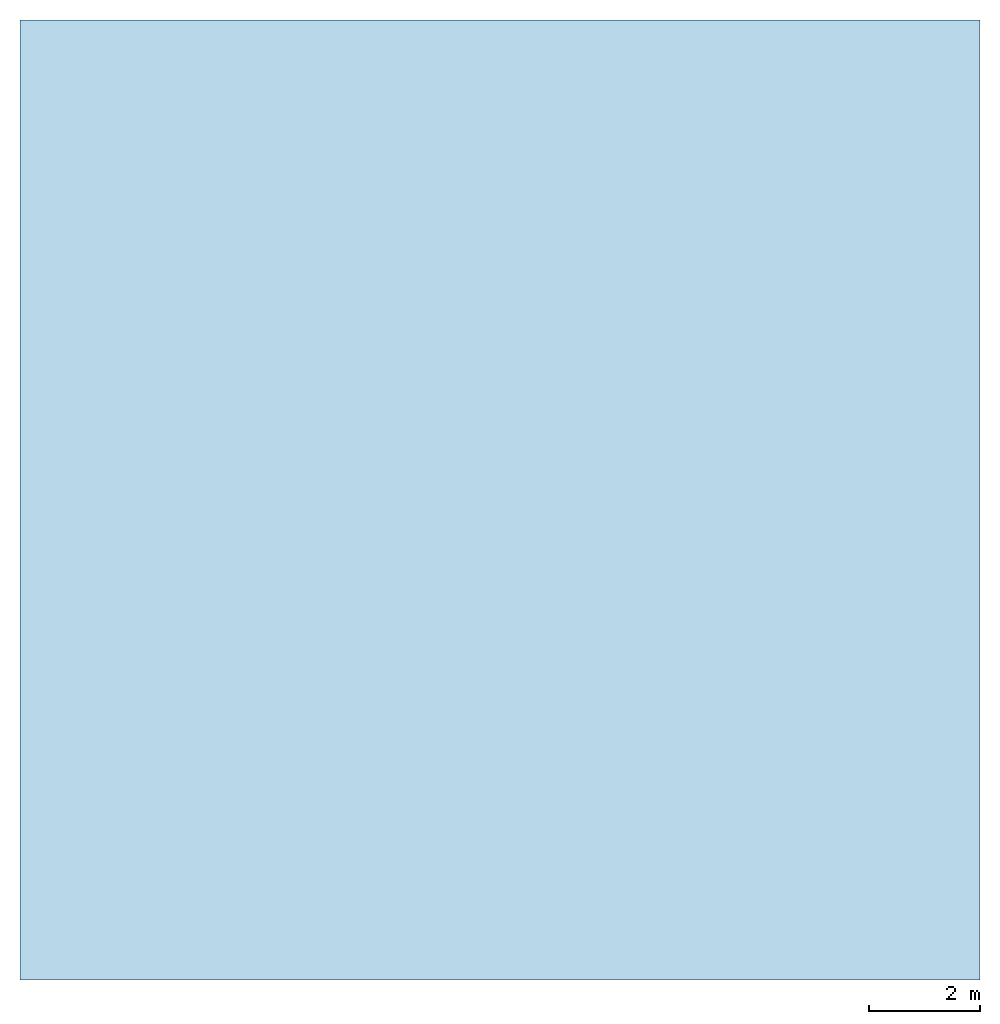
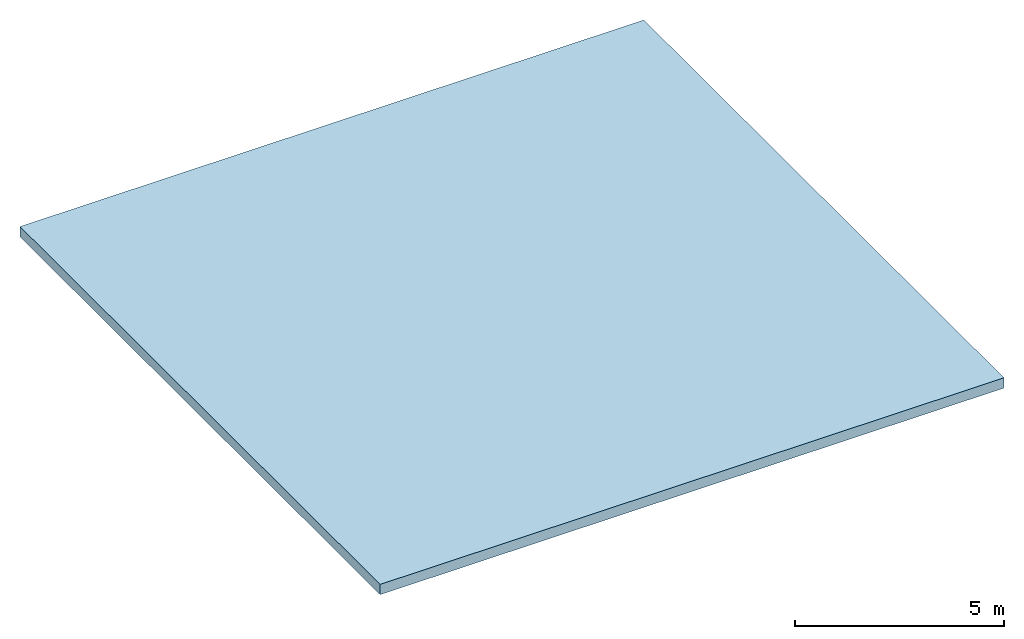
# One storey: 1 slab.
"""IFC4 building model written with IfcOpenShell, lengths in metres."""

import ifcopenshell
import ifcopenshell.guid

model = None  # the IFC model being written
_history = None  # IfcOwnerHistory: only IFC2X3 demands one
_inside = {}  # id of a spatial element -> (the spatial element, [elements in it])
_under = {}  # id of a project, library or spatial element -> (it, [spatial elements below it])
_declared = {}  # id of a project -> (the project, [libraries it declares])
_typed = {}  # id of a type object -> (the type object, [elements of that type])
_made_of = {}  # id of a material, layer set ... -> (it, [elements and type objects made of it])


def new_model(schema):
    """Start an empty IFC model of exactly this schema.

    Asked for "IFC4X3", IfcOpenShell would pick the latest addendum, in which some entities
    have other attributes; the version numbers below select the first issue.
    IFC2X3 requires an IfcOwnerHistory on every rooted entity: one is made here for all.
    """
    global model, _history
    if schema == "IFC4X3":
        model = ifcopenshell.file(schema_version=(4, 3, 0, 0))
    else:
        model = ifcopenshell.file(schema=schema)
    _inside.clear()
    _under.clear()
    _declared.clear()
    _typed.clear()
    _made_of.clear()
    _history = None
    if model.schema == "IFC2X3":
        org = make("IfcOrganization", Name="unknown")
        user = make(
            "IfcPersonAndOrganization",
            ThePerson=make("IfcPerson", FamilyName="unknown"),
            TheOrganization=org,
        )
        app = make(
            "IfcApplication",
            ApplicationDeveloper=org,
            Version="unknown",
            ApplicationFullName="unknown",
            ApplicationIdentifier="unknown",
        )
        _history = make(
            "IfcOwnerHistory",
            OwningUser=user,
            OwningApplication=app,
            ChangeAction="ADDED",
            CreationDate=0,
        )
    return model


def make(cls, **values):
    """One entity of the class cls with the attributes given. An attribute that is None is left unset."""
    return model.create_entity(
        cls, **{name: value for name, value in values.items() if value is not None}
    )


def rooted(cls, **values):
    """An entity with a GlobalId (a new one), such as an element, a storey or a relation."""
    return make(cls, GlobalId=ifcopenshell.guid.new(), OwnerHistory=_history, **values)


def si_unit(unit_type, name, prefix=None):
    """IfcSIUnit, for example si_unit("LENGTHUNIT", "METRE", prefix="MILLI")."""
    return make("IfcSIUnit", UnitType=unit_type, Prefix=prefix, Name=name)


def assignment(units):
    """IfcUnitAssignment: the units of a project."""
    return None if units is None else make("IfcUnitAssignment", Units=units)


def point(xyz):
    """IfcCartesianPoint."""
    return None if xyz is None else make("IfcCartesianPoint", Coordinates=xyz)


def direction(xyz):
    """IfcDirection."""
    return None if xyz is None else make("IfcDirection", DirectionRatios=xyz)


def frame(location, z_axis=None, x_axis=None):
    """IfcAxis2Placement3D, a coordinate frame: its origin and axes. An axis left out is left unset."""
    return make(
        "IfcAxis2Placement3D",
        Location=point(location),
        Axis=direction(z_axis),
        RefDirection=direction(x_axis),
    )


def origin():
    """The frame at (0, 0, 0) with its axes left unset."""
    return frame((0.0, 0.0, 0.0))


def place(relative_to, where):
    """IfcLocalPlacement: puts the frame where relative to a parent placement (None: the world)."""
    return make(
        "IfcLocalPlacement", PlacementRelTo=relative_to, RelativePlacement=where
    )


def context(
    kind, dimensions, precision=None, world=None, true_north=None, identifier=None
):
    """IfcGeometricRepresentationContext, for example the 3D "Model" context."""
    return make(
        "IfcGeometricRepresentationContext",
        ContextIdentifier=identifier,
        ContextType=kind,
        CoordinateSpaceDimension=dimensions,
        Precision=precision,
        WorldCoordinateSystem=world,
        TrueNorth=true_north,
    )


def subcontext(parent, identifier, kind, view, scale=None):
    """IfcGeometricRepresentationSubContext, for example "Body" below "Model"."""
    return make(
        "IfcGeometricRepresentationSubContext",
        ContextIdentifier=identifier,
        ContextType=kind,
        ParentContext=parent,
        TargetScale=scale,
        TargetView=view,
    )


def project(units=None, contexts=None):
    """IfcProject with its units and contexts."""
    return rooted(
        "IfcProject",
        Name="project",
        RepresentationContexts=contexts,
        UnitsInContext=assignment(units),
    )


def spatial(cls, under=None, at=None, **own):
    """A site, building, storey or space (cls), placed at a placement, below another one or the project."""
    s = rooted(cls, ObjectPlacement=at, **own)
    if under is not None:
        _under.setdefault(under.id(), (under, []))[1].append(s)
    return s


def polyline(points):
    """IfcPolyline through the points."""
    return make("IfcPolyline", Points=[point(p) for p in points])


def outline(outer, holes=None, kind="AREA"):
    """IfcArbitraryClosedProfileDef: a profile drawn as a closed curve; with holes, ...WithVoids."""
    if holes is None:
        return make("IfcArbitraryClosedProfileDef", ProfileType=kind, OuterCurve=outer)
    return make(
        "IfcArbitraryProfileDefWithVoids",
        ProfileType=kind,
        OuterCurve=outer,
        InnerCurves=holes,
    )


def extrude(swept, where, along, depth):
    """IfcExtrudedAreaSolid: the profile swept, set in the frame where, extruded along a direction by depth."""
    return make(
        "IfcExtrudedAreaSolid",
        SweptArea=swept,
        Position=where,
        ExtrudedDirection=direction(along),
        Depth=depth,
    )


def shape(context_of_items, identifier, shape_type, items):
    """IfcShapeRepresentation: the items that make up one representation, for example the "Body"."""
    return make(
        "IfcShapeRepresentation",
        ContextOfItems=context_of_items,
        RepresentationIdentifier=identifier,
        RepresentationType=shape_type,
        Items=items,
    )


def material(Name=None, Category=None):
    """IfcMaterial."""
    return make("IfcMaterial", Name=Name, Category=Category)


def layer(
    of_material, thickness, ventilated=None, Name=None, Category=None, Priority=None
):
    """IfcMaterialLayer: one layer of a wall or slab, of a material (None: an air gap)."""
    return make(
        "IfcMaterialLayer",
        Material=of_material,
        LayerThickness=thickness,
        IsVentilated=ventilated,
        Name=Name,
        Category=Category,
        Priority=Priority,
    )


def layer_set(layers, Name=None):
    """IfcMaterialLayerSet."""
    return make("IfcMaterialLayerSet", MaterialLayers=layers, LayerSetName=Name)


def made_of(thing, what):
    """Note that an element or type object is made of a material, layer set ...; save() writes the relation."""
    if what is not None:
        _made_of.setdefault(what.id(), (what, []))[1].append(thing)
    return thing


def type_object(cls, material=None, **own):
    """A type object (cls), such as IfcWallType, which elements share."""
    return made_of(rooted(cls, **own), material)


def element(
    cls,
    number,
    at=None,
    inside=None,
    cuts=None,
    type_object=None,
    material=None,
    context=None,
    identifier="Body",
    shape_type=None,
    held_by="IfcProductDefinitionShape",
    body=None,
    shapes=None,
    **own,
):
    """One element of the class cls, such as IfcWall. Its Tag is "e" and its number.

    at: its placement. inside: the storey or other place that contains it. cuts: it is an
    opening in that element (IfcRelVoidsElement). A single representation is given by context,
    identifier, shape_type and body (its items); several are given by shapes. held_by: the class
    of the entity that holds the representations. save() writes the other relations.
    """
    e = rooted(cls, Tag="e%d" % number, ObjectPlacement=at, **own)
    if body is not None:
        shapes = [shape(context, identifier, shape_type, body)]
    if shapes is not None:
        e.Representation = make(held_by, Representations=shapes)
    if inside is not None:
        _inside.setdefault(inside.id(), (inside, []))[1].append(e)
    if cuts is not None:
        rooted(
            "IfcRelVoidsElement", RelatingBuildingElement=cuts, RelatedOpeningElement=e
        )
    if type_object is not None:
        _typed.setdefault(type_object.id(), (type_object, []))[1].append(e)
    return made_of(e, material)


def aggregate(whole, parts):
    """IfcRelAggregates: a whole, such as a stair, and the parts it consists of."""
    return rooted("IfcRelAggregates", RelatingObject=whole, RelatedObjects=parts)


def save(model, path):
    """Write the relations noted so far, then the file.

    IfcRelAggregates (storeys below a building ...), IfcRelContainedInSpatialStructure (elements
    in a storey), IfcRelDefinesByType, IfcRelAssociatesMaterial and IfcRelDeclares: one each for
    every whole, place, type object, material and project.
    """
    for whole, parts in _under.values():
        aggregate(whole, parts)
    for where, things in _inside.values():
        rooted(
            "IfcRelContainedInSpatialStructure",
            RelatedElements=things,
            RelatingStructure=where,
        )
    for kind, things in _typed.values():
        rooted("IfcRelDefinesByType", RelatedObjects=things, RelatingType=kind)
    for what, things in _made_of.values():
        rooted("IfcRelAssociatesMaterial", RelatedObjects=things, RelatingMaterial=what)
    for by, libraries in _declared.values():
        rooted("IfcRelDeclares", RelatingContext=by, RelatedDefinitions=libraries)
    model.write(path)


model = new_model("IFC4")

# Units and contexts
model_context = context("Model", 3, precision=1e-05, world=origin(), true_north=direction((0.0, 1.0)))
body_context = subcontext(model_context, "Body", "Model", "MODEL_VIEW")
ifc_project = project(units=[si_unit("LENGTHUNIT", "METRE"), si_unit("AREAUNIT", "SQUARE_METRE"), si_unit("VOLUMEUNIT", "CUBIC_METRE"), si_unit("PLANEANGLEUNIT", "RADIAN"), si_unit("MASSUNIT", "GRAM", prefix="KILO")], contexts=[model_context])

# Site, building, storey
site_placement = place(None, origin())
site = spatial("IfcSite", under=ifc_project, at=site_placement, CompositionType="ELEMENT")
building_placement = place(site_placement, origin())
building = spatial("IfcBuilding", under=site, at=building_placement, Name="Torre Alcanfor", CompositionType="ELEMENT")
storey_placement = place(building_placement, frame((0.0, 0.0, 313.5)))
storey = spatial("IfcBuildingStorey", under=building, at=storey_placement, Name="UPPER ROOF", CompositionType="ELEMENT", Elevation=313.5)

# Slab
ifc_material = material(Name="Concrete f'c 40 MPa", Category="concrete")
ifc_layer = layer(ifc_material, 0.300048828125)
ifc_layer_set = layer_set([ifc_layer], Name="Core lid slab 300")
slab_type = type_object("IfcSlabType", Name="Core lid slab 300", PredefinedType="ROOF", material=ifc_layer_set)
slab_placement = place(storey_placement, frame((0.0, 0.0, -0.300048828125)))
element("IfcSlab", 1, at=slab_placement, inside=storey, type_object=slab_type, Name="Core head-house roof slab", PredefinedType="ROOF", context=body_context, shape_type="SweptSolid", body=[
    extrude(outline(polyline([(20.77490234375, 20.77490234375), (38.02490234375, 20.77490234375), (38.02490234375, 38.02490234375), (20.77490234375, 38.02490234375), (20.77490234375, 20.77490234375)])), origin(), (0.0, 0.0, 1.0), 0.300048828125),
])

save(model, "model.ifc")
